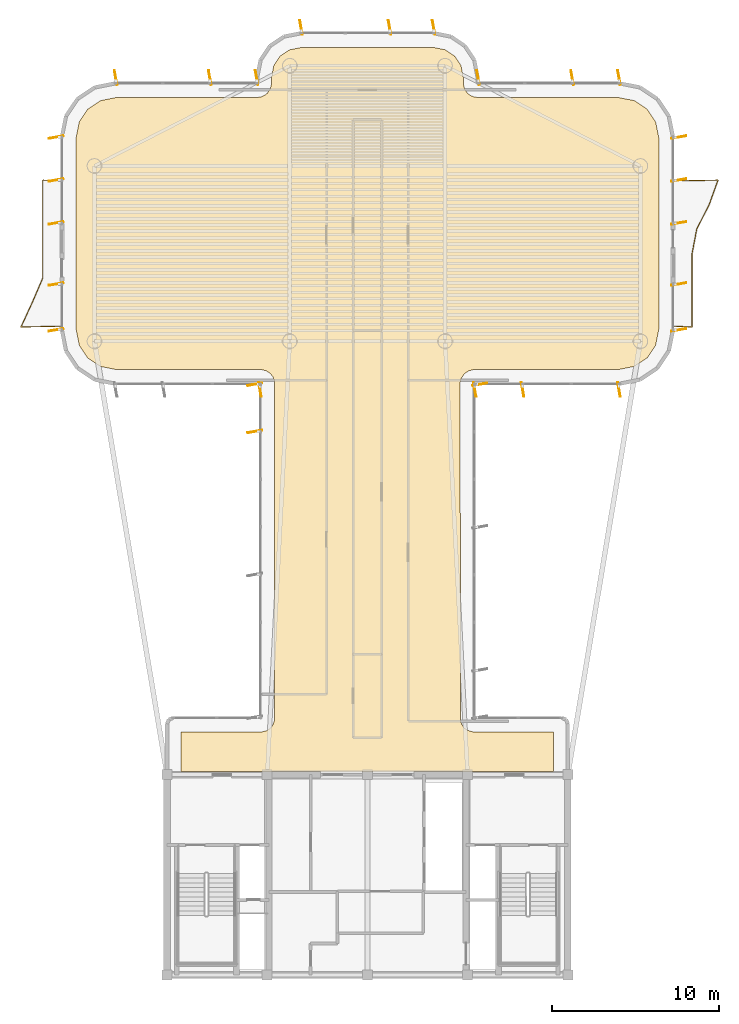
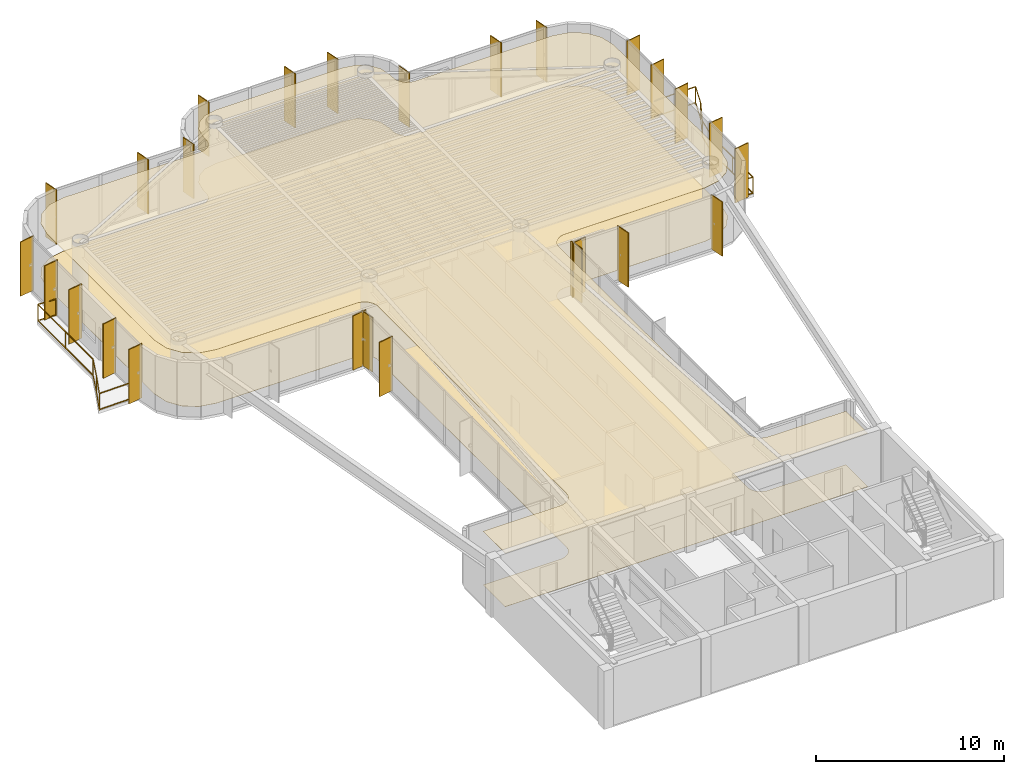
# One storey, part 14 of 14: 26 shading devices, 2 coverings, 2 railings.
"""IFC4 building model written with IfcOpenShell, lengths in metres."""

from ifc_helpers import new_model, si_unit, direction, frame, origin, origin_2d, place, context, subcontext, project, spatial, polyline, rectangle, outline, extrude, source, transform, mapped, material, layer, layer_set, material_profile, profile_set, type_object, element, save


model = new_model("IFC4")

# Units and contexts
model_context = context("Model", 3, precision=1e-05, world=origin(), true_north=direction((0.0, 1.0)))
body_context = subcontext(model_context, "Body", "Model", "MODEL_VIEW")
ifc_project = project(units=[si_unit("LENGTHUNIT", "METRE"), si_unit("AREAUNIT", "SQUARE_METRE"), si_unit("VOLUMEUNIT", "CUBIC_METRE"), si_unit("PLANEANGLEUNIT", "RADIAN"), si_unit("MASSUNIT", "GRAM", prefix="KILO")], contexts=[model_context])

# Site, building, storey
site_placement = place(None, origin())
site = spatial("IfcSite", under=ifc_project, at=site_placement, CompositionType="ELEMENT")
building_placement = place(site_placement, origin())
building = spatial("IfcBuilding", under=site, at=building_placement, Name="Brelvock Crest Care Tower", CompositionType="ELEMENT")
storey_placement = place(building_placement, frame((0.0, 0.0, 253.260009765625)))
storey = spatial("IfcBuildingStorey", under=building, at=storey_placement, Name="L64", CompositionType="ELEMENT", Elevation=253.260009765625)

# Coverings
ifc_material_1 = material(Name="Mineral Fibre Acoustic Ceiling Tile", Category="gypsum")
ifc_layer_1 = layer(ifc_material_1, 0.02490234375, Name="COV-CLG1")
ifc_layer_set_1 = layer_set([ifc_layer_1], Name="Mineral Fibre Acoustic Ceiling Tile")
covering_type_1 = type_object("IfcCoveringType", Name="COV-CLG1", PredefinedType="CEILING", material=ifc_layer_set_1)
covering_1_placement = place(storey_placement, frame((0.0, 0.0, 3.47509765625)))
element("IfcCovering", 1, at=covering_1_placement, inside=storey, type_object=covering_type_1, Name="L64 Acoustic Suspended Ceiling 1", PredefinedType="CEILING", context=body_context, shape_type="SweptSolid", body=[
    extrude(outline(polyline([(24.85009765625, 18.199951171875), (47.14990234375, 18.199951171875), (47.14990234375, 20.550048828125), (42.316650390625, 20.55419921875), (41.999267578125, 20.650390625), (41.799072265625, 20.799072265625), (41.650390625, 20.999267578125), (41.56640625, 21.234130859375), (41.55419921875, 41.4833984375), (41.61474609375, 41.725341796875), (41.799072265625, 42.0009765625), (42.07470703125, 42.185302734375), (42.316650390625, 42.245849609375), (51.016357421875, 42.25), (51.992919921875, 42.4443359375), (52.75, 42.9501953125), (53.255615234375, 43.70703125), (53.449951171875, 44.68359375), (53.449951171875, 56.1162109375), (53.255615234375, 57.093017578125), (52.75, 57.849853515625), (51.992919921875, 58.355712890625), (51.016357421875, 58.550048828125), (42.60009765625, 58.550048828125), (42.353271484375, 58.586669921875), (42.127685546875, 58.693359375), (41.9990234375, 58.799072265625), (41.814697265625, 59.07470703125), (41.754150390625, 59.316650390625), (41.75, 59.71630859375), (41.601318359375, 60.46337890625), (41.2255859375, 61.025634765625), (40.663330078125, 61.4013671875), (39.916259765625, 61.550048828125), (32.083740234375, 61.550048828125), (31.336669921875, 61.4013671875), (30.7744140625, 61.025634765625), (30.398681640625, 60.46337890625), (30.25, 59.71630859375), (30.245849609375, 59.316650390625), (30.185302734375, 59.07470703125), (30.0009765625, 58.799072265625), (29.872314453125, 58.693359375), (29.646728515625, 58.586669921875), (29.39990234375, 58.550048828125), (20.983642578125, 58.550048828125), (20.007080078125, 58.355712890625), (19.25, 57.849853515625), (18.744384765625, 57.093017578125), (18.550048828125, 56.1162109375), (18.550048828125, 44.68359375), (18.744384765625, 43.70703125), (19.25, 42.9501953125), (20.007080078125, 42.4443359375), (20.983642578125, 42.25), (29.683349609375, 42.245849609375), (29.92529296875, 42.185302734375), (30.200927734375, 42.0009765625), (30.349609375, 41.80078125), (30.43359375, 41.56591796875), (30.449951171875, 21.39990234375), (30.413330078125, 21.1533203125), (30.306640625, 20.927734375), (30.13916015625, 20.742919921875), (29.92529296875, 20.61474609375), (29.683349609375, 20.55419921875), (24.85009765625, 20.550048828125), (24.85009765625, 18.199951171875)])), origin(), (0.0, 0.0, 1.0), 0.02490234375),
])
ifc_material_2 = material(Name="Slip-Resistant Acoustic Vinyl Flooring", Category="finish")
ifc_layer_2 = layer(ifc_material_2, 0.014892578125, Name="COV-FLR1")
ifc_layer_set_2 = layer_set([ifc_layer_2], Name="Slip-Resistant Acoustic Vinyl Flooring")
covering_type_2 = type_object("IfcCoveringType", Name="COV-FLR1", PredefinedType="FLOORING", material=ifc_layer_set_2)
covering_2_placement = place(storey_placement, origin())
element("IfcCovering", 2, at=covering_2_placement, inside=storey, type_object=covering_type_2, Name="L64 Slip-Resistant Acoustic Flooring 1", PredefinedType="FLOORING", context=body_context, shape_type="SweptSolid", body=[
    extrude(outline(polyline([(24.85009765625, 18.199951171875), (47.14990234375, 18.199951171875), (47.14990234375, 20.550048828125), (42.316650390625, 20.55419921875), (41.999267578125, 20.650390625), (41.799072265625, 20.799072265625), (41.650390625, 20.999267578125), (41.56640625, 21.234130859375), (41.55419921875, 41.4833984375), (41.61474609375, 41.725341796875), (41.799072265625, 42.0009765625), (42.07470703125, 42.185302734375), (42.316650390625, 42.245849609375), (51.016357421875, 42.25), (51.992919921875, 42.4443359375), (52.75, 42.9501953125), (53.255615234375, 43.70703125), (53.449951171875, 44.68359375), (53.449951171875, 56.1162109375), (53.255615234375, 57.093017578125), (52.75, 57.849853515625), (51.992919921875, 58.355712890625), (51.016357421875, 58.550048828125), (42.60009765625, 58.550048828125), (42.353271484375, 58.586669921875), (42.127685546875, 58.693359375), (41.9990234375, 58.799072265625), (41.814697265625, 59.07470703125), (41.754150390625, 59.316650390625), (41.75, 59.71630859375), (41.601318359375, 60.46337890625), (41.2255859375, 61.025634765625), (40.663330078125, 61.4013671875), (39.916259765625, 61.550048828125), (32.083740234375, 61.550048828125), (31.336669921875, 61.4013671875), (30.7744140625, 61.025634765625), (30.398681640625, 60.46337890625), (30.25, 59.71630859375), (30.245849609375, 59.316650390625), (30.185302734375, 59.07470703125), (30.0009765625, 58.799072265625), (29.872314453125, 58.693359375), (29.646728515625, 58.586669921875), (29.39990234375, 58.550048828125), (20.983642578125, 58.550048828125), (20.007080078125, 58.355712890625), (19.25, 57.849853515625), (18.744384765625, 57.093017578125), (18.550048828125, 56.1162109375), (18.550048828125, 44.68359375), (18.744384765625, 43.70703125), (19.25, 42.9501953125), (20.007080078125, 42.4443359375), (20.983642578125, 42.25), (29.683349609375, 42.245849609375), (29.92529296875, 42.185302734375), (30.200927734375, 42.0009765625), (30.349609375, 41.80078125), (30.43359375, 41.56591796875), (30.449951171875, 21.39990234375), (30.413330078125, 21.1533203125), (30.306640625, 20.927734375), (30.13916015625, 20.742919921875), (29.92529296875, 20.61474609375), (29.683349609375, 20.55419921875), (24.85009765625, 20.550048828125), (24.85009765625, 18.199951171875)])), origin(), (0.0, 0.0, 1.0), 0.014892578125),
])

# Railings
ifc_material_3 = material(Name="Dark Glass Double Glazed Low-E", Category="glass")
ifc_layer_3 = layer(ifc_material_3, 0.06005859375, Name="RL-BAL1")
ifc_layer_set_3 = layer_set([ifc_layer_3], Name="Dark Glass Double Glazed Low-E")
railing_type = type_object("IfcRailingType", Name="RL-BAL1", PredefinedType="BALUSTRADE", material=ifc_layer_set_3)
railing_1_placement = place(storey_placement, frame((17.659912109375, 44.85009765625, 0.00390625)))
element("IfcRailing", 3, at=railing_1_placement, inside=storey, type_object=railing_type, Name="L64 Safety Balustrade WB-W", PredefinedType="BALUSTRADE", context=body_context, shape_type="SweptSolid", body=[
    extrude(rectangle(XDim=0.048095703125, YDim=0.048095703125, at=origin_2d()), frame((-0.001953125, 0.0, 1.09619140625), z_axis=(-0.999783452903, -0.020809788592, 0.0), x_axis=(0.020809788592, -0.999783452903, 0.0)), (0.0, 0.0, 1.0), 2.401123046875),
    extrude(rectangle(XDim=0.048095703125, YDim=0.048095703125, at=origin_2d()), frame((-0.001953125, 0.0, 0.054931640625), z_axis=(-0.999783452903, -0.020809788592, 0.0), x_axis=(0.020809788592, -0.999783452903, 0.0)), (0.0, 0.0, 1.0), 2.401123046875),
    extrude(rectangle(XDim=0.048095703125, YDim=0.048095703125, at=origin_2d()), frame((-2.40380859375, -0.04833984375, 1.09619140625), z_axis=(0.417503547282, 0.908675292944, 0.0), x_axis=(-0.908675292944, 0.417503547282, 0.0)), (0.0, 0.0, 1.0), 1.60986328125),
    extrude(rectangle(XDim=0.048095703125, YDim=0.048095703125, at=origin_2d()), frame((-2.40380859375, -0.04833984375, 0.054931640625), z_axis=(0.417503547282, 0.908675292944, 0.0), x_axis=(-0.908675292944, 0.417503547282, 0.0)), (0.0, 0.0, 1.0), 1.60986328125),
    extrude(rectangle(XDim=0.048095703125, YDim=0.048095703125, at=origin_2d()), frame((-1.72998046875, 1.41845703125, 1.09619140625), z_axis=(0.395100013248, 0.918638111299, 0.0), x_axis=(-0.918638111299, 0.395100013248, 0.0)), (0.0, 0.0, 1.0), 1.5927734375),
    extrude(rectangle(XDim=0.048095703125, YDim=0.048095703125, at=origin_2d()), frame((-1.72998046875, 1.41845703125, 0.054931640625), z_axis=(0.395100013248, 0.918638111299, 0.0), x_axis=(-0.918638111299, 0.395100013248, 0.0)), (0.0, 0.0, 1.0), 1.5927734375),
    extrude(rectangle(XDim=0.048095703125, YDim=0.048095703125, at=origin_2d()), frame((-1.099853515625, 2.88525390625, 1.09619140625), z_axis=(0.0, 1.0, 0.0), x_axis=(-1.0, 0.0, 0.0)), (0.0, 0.0, 1.0), 5.86279296875),
    extrude(rectangle(XDim=0.048095703125, YDim=0.048095703125, at=origin_2d()), frame((-1.099853515625, 2.88525390625, 0.054931640625), z_axis=(0.0, 1.0, 0.0), x_axis=(-1.0, 0.0, 0.0)), (0.0, 0.0, 1.0), 5.86279296875),
    extrude(rectangle(XDim=0.048095703125, YDim=0.048095703125, at=origin_2d()), frame((-1.097900390625, 8.75, 1.09619140625), z_axis=(0.998966252902, -0.045457953795, 0.0), x_axis=(0.045457953795, 0.998966252902, 0.0)), (0.0, 0.0, 1.0), 1.096923828125),
    extrude(rectangle(XDim=0.048095703125, YDim=0.048095703125, at=origin_2d()), frame((-1.097900390625, 8.75, 0.054931640625), z_axis=(0.998966252902, -0.045457953795, 0.0), x_axis=(0.045457953795, 0.998966252902, 0.0)), (0.0, 0.0, 1.0), 1.096923828125),
    extrude(rectangle(XDim=0.0419921875, YDim=0.0419921875, at=origin_2d()), origin(), (0.0, 0.0, 1.0), 1.070068359375),
    extrude(rectangle(XDim=0.0419921875, YDim=0.0419921875, at=origin_2d()), frame((-2.404541015625, -0.050048828125, 0.0)), (0.0, 0.0, 1.0), 1.070068359375),
    extrude(rectangle(XDim=0.0419921875, YDim=0.0419921875, at=origin_2d()), frame((-1.730712890625, 1.41650390625, 0.0)), (0.0, 0.0, 1.0), 1.070068359375),
    extrude(rectangle(XDim=0.0419921875, YDim=0.0419921875, at=origin_2d()), frame((-1.099853515625, 2.88330078125, 0.0)), (0.0, 0.0, 1.0), 1.070068359375),
    extrude(rectangle(XDim=0.0419921875, YDim=0.0419921875, at=origin_2d()), frame((-1.099853515625, 5.816650390625, 0.0)), (0.0, 0.0, 1.0), 1.070068359375),
    extrude(rectangle(XDim=0.0419921875, YDim=0.0419921875, at=origin_2d()), frame((-1.099853515625, 8.75, 0.0)), (0.0, 0.0, 1.0), 1.070068359375),
    extrude(rectangle(XDim=0.0419921875, YDim=0.0419921875, at=origin_2d()), frame((0.0, 8.699951171875, 0.0)), (0.0, 0.0, 1.0), 1.070068359375),
])
railing_2_placement = place(storey_placement, frame((54.340087890625, 44.85009765625, 0.00390625)))
element("IfcRailing", 4, at=railing_2_placement, inside=storey, type_object=railing_type, Name="L64 Safety Balustrade WB-E", PredefinedType="BALUSTRADE", context=body_context, shape_type="SweptSolid", body=[
    extrude(rectangle(XDim=0.048095703125, YDim=0.048095703125, at=origin_2d()), frame((0.001953125, 0.0, 1.09619140625), z_axis=(0.998966252902, -0.045457953795, 0.0), x_axis=(0.045457953795, 0.998966252902, 0.0)), (0.0, 0.0, 1.0), 1.096923828125),
    extrude(rectangle(XDim=0.048095703125, YDim=0.048095703125, at=origin_2d()), frame((0.001953125, 0.0, 0.054931640625), z_axis=(0.998966252902, -0.045457953795, 0.0), x_axis=(0.045457953795, 0.998966252902, 0.0)), (0.0, 0.0, 1.0), 1.096923828125),
    extrude(rectangle(XDim=0.048095703125, YDim=0.048095703125, at=origin_2d()), frame((1.099853515625, -0.048095703125, 1.09619140625), z_axis=(0.0, 1.0, 0.0), x_axis=(-1.0, 0.0, 0.0)), (0.0, 0.0, 1.0), 4.39599609375),
    extrude(rectangle(XDim=0.048095703125, YDim=0.048095703125, at=origin_2d()), frame((1.099853515625, -0.048095703125, 0.054931640625), z_axis=(0.0, 1.0, 0.0), x_axis=(-1.0, 0.0, 0.0)), (0.0, 0.0, 1.0), 4.39599609375),
    extrude(rectangle(XDim=0.048095703125, YDim=0.048095703125, at=origin_2d()), frame((1.100341796875, 4.351806640625, 1.09619140625), z_axis=(0.187051999936, 0.982350013651, 0.0), x_axis=(-0.982350013651, 0.187051999936, 0.0)), (0.0, 0.0, 1.0), 1.4892578125),
    extrude(rectangle(XDim=0.048095703125, YDim=0.048095703125, at=origin_2d()), frame((1.100341796875, 4.351806640625, 0.054931640625), z_axis=(0.187051999936, 0.982350013651, 0.0), x_axis=(-0.982350013651, 0.187051999936, 0.0)), (0.0, 0.0, 1.0), 1.4892578125),
    extrude(rectangle(XDim=0.048095703125, YDim=0.048095703125, at=origin_2d()), frame((1.380126953125, 5.818359375, 1.09619140625), z_axis=(0.453316616849, 0.891349563801, 0.0), x_axis=(-0.891349563801, 0.453316616849, 0.0)), (0.0, 0.0, 1.0), 1.641357421875),
    extrude(rectangle(XDim=0.048095703125, YDim=0.048095703125, at=origin_2d()), frame((1.380126953125, 5.818359375, 0.054931640625), z_axis=(0.453316616849, 0.891349563801, 0.0), x_axis=(-0.891349563801, 0.453316616849, 0.0)), (0.0, 0.0, 1.0), 1.641357421875),
    extrude(rectangle(XDim=0.048095703125, YDim=0.048095703125, at=origin_2d()), frame((2.125732421875, 7.28515625, 1.09619140625), z_axis=(0.338597458076, 0.940931326604, 0.0), x_axis=(-0.940931326604, 0.338597458076, 0.0)), (0.0, 0.0, 1.0), 1.554931640625),
    extrude(rectangle(XDim=0.048095703125, YDim=0.048095703125, at=origin_2d()), frame((2.125732421875, 7.28515625, 0.054931640625), z_axis=(0.338597458076, 0.940931326604, 0.0), x_axis=(-0.940931326604, 0.338597458076, 0.0)), (0.0, 0.0, 1.0), 1.554931640625),
    extrude(rectangle(XDim=0.048095703125, YDim=0.048095703125, at=origin_2d()), frame((2.65087890625, 8.75, 1.09619140625), z_axis=(-0.999822080967, -0.018862831456, 0.0), x_axis=(0.018862831456, -0.999822080967, 0.0)), (0.0, 0.0, 1.0), 2.6494140625),
    extrude(rectangle(XDim=0.048095703125, YDim=0.048095703125, at=origin_2d()), frame((2.65087890625, 8.75, 0.054931640625), z_axis=(-0.999822080967, -0.018862831456, 0.0), x_axis=(0.018862831456, -0.999822080967, 0.0)), (0.0, 0.0, 1.0), 2.6494140625),
    extrude(rectangle(XDim=0.0419921875, YDim=0.0419921875, at=origin_2d()), origin(), (0.0, 0.0, 1.0), 1.070068359375),
    extrude(rectangle(XDim=0.0419921875, YDim=0.0419921875, at=origin_2d()), frame((1.099853515625, -0.050048828125, 0.0)), (0.0, 0.0, 1.0), 1.070068359375),
    extrude(rectangle(XDim=0.0419921875, YDim=0.0419921875, at=origin_2d()), frame((1.099853515625, 2.14990234375, 0.0)), (0.0, 0.0, 1.0), 1.070068359375),
    extrude(rectangle(XDim=0.0419921875, YDim=0.0419921875, at=origin_2d()), frame((1.099853515625, 4.349853515625, 0.0)), (0.0, 0.0, 1.0), 1.070068359375),
    extrude(rectangle(XDim=0.0419921875, YDim=0.0419921875, at=origin_2d()), frame((1.379150390625, 5.816650390625, 0.0)), (0.0, 0.0, 1.0), 1.070068359375),
    extrude(rectangle(XDim=0.0419921875, YDim=0.0419921875, at=origin_2d()), frame((2.125, 7.283203125, 0.0)), (0.0, 0.0, 1.0), 1.070068359375),
    extrude(rectangle(XDim=0.0419921875, YDim=0.0419921875, at=origin_2d()), frame((2.65283203125, 8.75, 0.0)), (0.0, 0.0, 1.0), 1.070068359375),
    extrude(rectangle(XDim=0.0419921875, YDim=0.0419921875, at=origin_2d()), frame((0.0, 8.699951171875, 0.0)), (0.0, 0.0, 1.0), 1.070068359375),
])

# Shading devices
ifc_material_4 = material(Name="Aluminium 6063-T6", Category="aluminium")
ifc_material_profile = material_profile(ifc_material_4, rectangle(XDim=0.054931640625, YDim=0.89990234375, at=origin_2d()), Name="FIN55x900")
ifc_profile_set = profile_set([ifc_material_profile], Name="Aluminium 6063-T6")
shading_device_type = type_object("IfcShadingDeviceType", Name="SHD-FIN1", PredefinedType="USERDEFINED", material=ifc_profile_set)
shared_shape = source(origin(), body_context, "Body", "SweptSolid", [
    extrude(rectangle(XDim=0.054931640625, YDim=0.89990234375, at=origin_2d()), origin(), (0.0, 0.0, 1.0), 3.530029296875),
])
for number, where, z_axis, x_axis, name in (
    (5, (29.260009765625, 38.54296875, 0.0), (0.0, 0.0, 1.0), (-0.173648177667, 0.984807753012, 0.0), "L64 Vertical Sunshade Fin E11-07"),
    (6, (29.260009765625, 41.3701171875, 0.0), (0.0, 0.0, 1.0), (-0.173648177667, 0.984807753012, 0.0), "L64 Vertical Sunshade Fin E11-08"),
    (7, (29.570068359375, 41.06005859375, 0.0), (0.0, 0.0, 1.0), (-0.984807753012, -0.173648177667, 0.0), "L64 Vertical Sunshade Fin E12-01"),
    (8, (17.360107421875, 44.6298828125, 0.0), (0.0, 0.0, 1.0), (-0.173648177667, 0.984807753012, 0.0), "L64 Vertical Sunshade Fin E17A-01"),
    (9, (17.360107421875, 47.3701171875, 0.0), (0.0, 0.0, 1.0), (-0.173648177667, 0.984807753012, 0.0), "L64 Vertical Sunshade Fin E17A-02"),
    (10, (17.360107421875, 51.030029296875, 0.0), (0.0, 0.0, 1.0), (-0.173648177667, 0.984807753012, 0.0), "L64 Vertical Sunshade Fin E17B-01"),
    (11, (17.360107421875, 53.60009765625, 0.0), (0.0, 0.0, 1.0), (-0.173648177667, 0.984807753012, 0.0), "L64 Vertical Sunshade Fin E17B-02"),
    (12, (17.360107421875, 56.169921875, 0.0), (0.0, 0.0, 1.0), (-0.173648177667, 0.984807753012, 0.0), "L64 Vertical Sunshade Fin E17B-03"),
    (13, (20.929931640625, 59.739990234375, 0.0), (0.0, 0.0, 1.0), (0.984807753012, 0.173648177667, 0.0), "L64 Vertical Sunshade Fin E22-01"),
    (14, (26.566650390625, 59.739990234375, 0.0), (0.0, 0.0, 1.0), (0.984807753012, 0.173648177667, 0.0), "L64 Vertical Sunshade Fin E22-03"),
    (15, (29.3701171875, 59.739990234375, 0.0), (0.0, 0.0, 1.0), (0.984807753012, 0.173648177667, 0.0), "L64 Vertical Sunshade Fin E22-04"),
    (16, (32.030029296875, 62.739990234375, 0.0), (0.0, 0.0, 1.0), (0.984807753012, 0.173648177667, 0.0), "L64 Vertical Sunshade Fin E28-01"),
    (17, (37.333251953125, 62.739990234375, 0.0), (0.0, 0.0, 1.0), (0.984807753012, 0.173648177667, 0.0), "L64 Vertical Sunshade Fin E28-03"),
    (18, (39.969970703125, 62.739990234375, 0.0), (0.0, 0.0, 1.0), (0.984807753012, 0.173648177667, 0.0), "L64 Vertical Sunshade Fin E28-04"),
    (19, (42.6298828125, 59.739990234375, 0.0), (0.0, 0.0, 1.0), (0.984807753012, 0.173648177667, 0.0), "L64 Vertical Sunshade Fin E34-01"),
    (20, (48.2666015625, 59.739990234375, 0.0), (0.0, 0.0, 1.0), (0.984807753012, 0.173648177667, 0.0), "L64 Vertical Sunshade Fin E34-03"),
    (21, (51.070068359375, 59.739990234375, 0.0), (0.0, 0.0, 1.0), (0.984807753012, 0.173648177667, 0.0), "L64 Vertical Sunshade Fin E34-04"),
    (22, (54.639892578125, 56.169921875, 0.0), (0.0, 0.0, 1.0), (0.173648177667, -0.984807753012, 0.0), "L64 Vertical Sunshade Fin E39A-01"),
    (23, (54.639892578125, 53.60009765625, 0.0), (0.0, 0.0, 1.0), (0.173648177667, -0.984807753012, 0.0), "L64 Vertical Sunshade Fin E39A-02"),
    (24, (54.639892578125, 51.030029296875, 0.0), (0.0, 0.0, 1.0), (0.173648177667, -0.984807753012, 0.0), "L64 Vertical Sunshade Fin E39A-03"),
    (25, (54.639892578125, 47.3701171875, 0.0), (0.0, 0.0, 1.0), (0.173648177667, -0.984807753012, 0.0), "L64 Vertical Sunshade Fin E39B-01"),
    (26, (54.639892578125, 44.6298828125, 0.0), (0.0, 0.0, 1.0), (0.173648177667, -0.984807753012, 0.0), "L64 Vertical Sunshade Fin E39B-02"),
    (27, (51.070068359375, 41.06005859375, 0.0), (0.0, 0.0, 1.0), (-0.984807753012, -0.173648177667, 0.0), "L64 Vertical Sunshade Fin E44-01"),
    (28, (45.300048828125, 41.06005859375, 0.0), (0.0, 0.0, 1.0), (-0.984807753012, -0.173648177667, 0.0), "L64 Vertical Sunshade Fin E44-03"),
    (29, (42.429931640625, 41.06005859375, 0.0), (0.0, 0.0, 1.0), (-0.984807753012, -0.173648177667, 0.0), "L64 Vertical Sunshade Fin E44-04"),
    (30, (42.739990234375, 41.3701171875, 0.0), (0.0, 0.0, 1.0), (0.173648177667, -0.984807753012, 0.0), "L64 Vertical Sunshade Fin E45-01"),
):
    element("IfcShadingDevice", number, at=place(storey_placement, frame(where, z_axis=z_axis, x_axis=x_axis)), inside=storey, type_object=shading_device_type, Name=name, ObjectType="FIN", PredefinedType="USERDEFINED", context=body_context, shape_type="MappedRepresentation", body=[
        mapped(shared_shape, transform((0.0, 0.0, 0.0), x_axis=(1.0, 0.0, 0.0), y_axis=(0.0, 1.0, 0.0), z_axis=(0.0, 0.0, 1.0), scale=1.0)),
    ])

save(model, "model.ifc")
